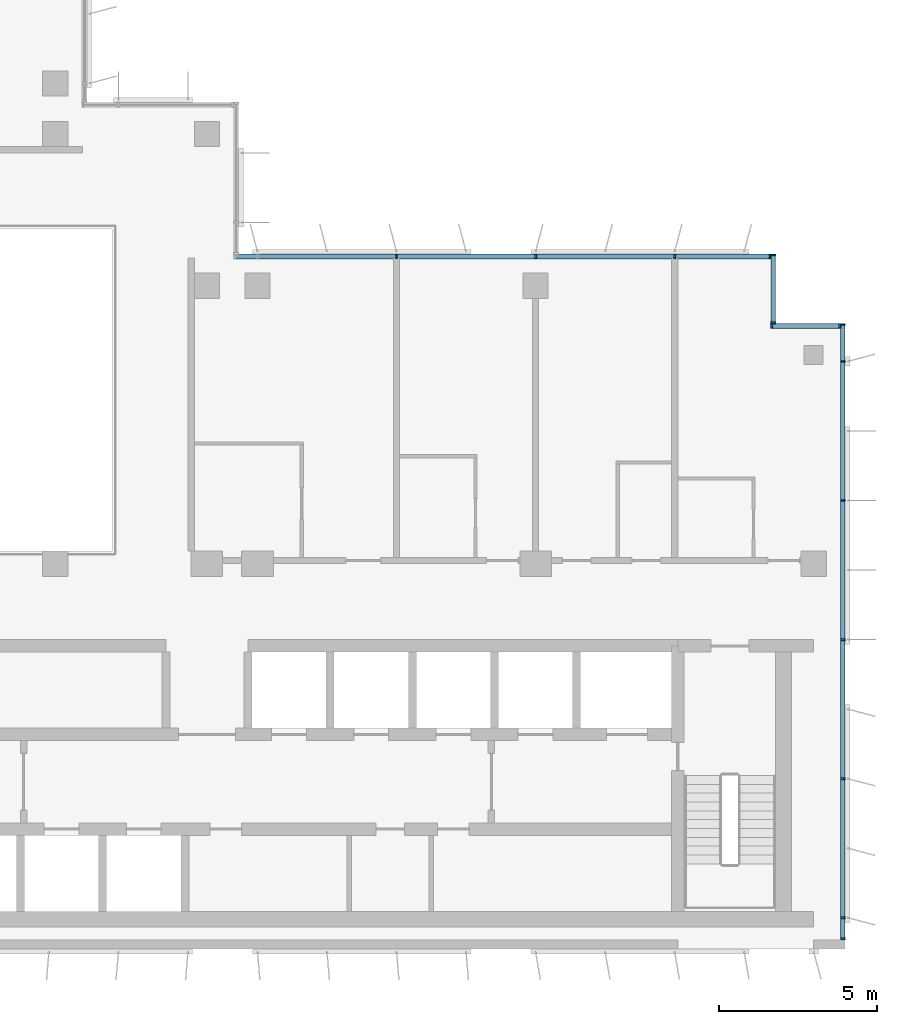
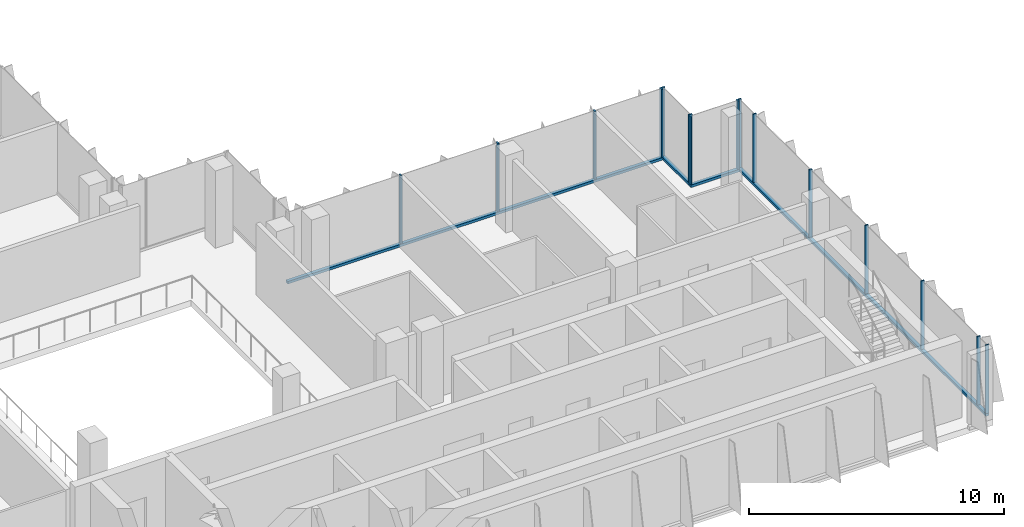
# One storey, part 3 of 15: 19 members, 4 elements without a shape of their own.
"""IFC4 building model written with IfcOpenShell, lengths in metres."""

from ifc_helpers import new_model, si_unit, direction, frame, origin, origin_2d, place, context, subcontext, project, spatial, rectangle, extrude, source, transform, mapped, material, material_profile, profile_set, type_object, element, aggregate, save


model = new_model("IFC4")

# Units and contexts
model_context = context("Model", 3, precision=1e-05, world=origin(), true_north=direction((0.0, 1.0)))
body_context = subcontext(model_context, "Body", "Model", "MODEL_VIEW")
ifc_project = project(units=[si_unit("LENGTHUNIT", "METRE"), si_unit("AREAUNIT", "SQUARE_METRE"), si_unit("VOLUMEUNIT", "CUBIC_METRE"), si_unit("PLANEANGLEUNIT", "RADIAN"), si_unit("MASSUNIT", "GRAM", prefix="KILO")], contexts=[model_context])

# Site, building, storey
site_placement = place(None, origin())
site = spatial("IfcSite", under=ifc_project, at=site_placement, CompositionType="ELEMENT")
building_placement = place(site_placement, origin())
building = spatial("IfcBuilding", under=site, at=building_placement, Name="Kemantara Hotel Tower", CompositionType="ELEMENT")
storey_placement = place(building_placement, frame((0.0, 0.0, 294.39990234375)))
storey = spatial("IfcBuildingStorey", under=building, at=storey_placement, Name="L74", CompositionType="ELEMENT", Elevation=294.39990234375)

# Curtain wall, member
ifc_material_1 = material(Name="Low-E tinted double insulated glass 36 mm", Category="glass")
curtain_wall_type = type_object("IfcCurtainWallType", Name="TOWER CURTAIN WALL, FRONT FACES", PredefinedType="USERDEFINED", material=ifc_material_1)
curtain_wall_1_placement = place(storey_placement, origin())
curtain_wall_1 = element("IfcCurtainWall", 1, at=curtain_wall_1_placement, inside=storey, type_object=curtain_wall_type, Name="CW4 L74 T4-R09-1", ObjectType="TOWER CURTAIN WALL, FRONT FACES", PredefinedType="USERDEFINED")
ifc_material_2 = material(Name="Aluminium 6063-T6 bronze anodised", Category="aluminium")
ifc_material_profile_1 = material_profile(ifc_material_2, rectangle(XDim=0.14990234375, YDim=0.1201171875, at=origin_2d()), Name="TOWER CURTAIN WALL, FRONT FACES TRANSOM")
ifc_profile_set_1 = profile_set([ifc_material_profile_1], Name="Aluminium 6063-T6 bronze anodised")
member_type_1 = type_object("IfcMemberType", Name="TOWER CURTAIN WALL, FRONT FACES TRANSOM", PredefinedType="USERDEFINED", material=ifc_profile_set_1)
member_1_placement = place(storey_placement, frame((45.925048828125, 0.300048828125, 0.06005859375), z_axis=(0.0, 1.0, 0.0), x_axis=(-1.0, 0.0, 0.0)))
member_1 = element("IfcMember", 2, at=member_1_placement, type_object=member_type_1, Name="CW4 sill transom T4-R09-1", ObjectType="TRANSOM", PredefinedType="USERDEFINED", context=body_context, shape_type="SweptSolid", body=[
    extrude(rectangle(XDim=0.14990234375, YDim=0.1201171875, at=origin_2d()), origin(), (0.0, 0.0, 1.0), 19.5),
])

curtain_wall_2_placement = place(storey_placement, origin())
curtain_wall_2 = element("IfcCurtainWall", 3, at=curtain_wall_2_placement, inside=storey, type_object=curtain_wall_type, Name="CW4 L74 T4-R12-1", ObjectType="TOWER CURTAIN WALL, FRONT FACES", PredefinedType="USERDEFINED")
member_2_placement = place(storey_placement, frame((43.64990234375, 21.925048828125, 0.06005859375), z_axis=(-1.0, 0.0, 0.0), x_axis=(0.0, -1.0, 0.0)))
member_2 = element("IfcMember", 4, at=member_2_placement, type_object=member_type_1, Name="CW4 sill transom T4-R12-1", ObjectType="TRANSOM", PredefinedType="USERDEFINED", context=body_context, shape_type="SweptSolid", body=[
    extrude(rectangle(XDim=0.14990234375, YDim=0.1201171875, at=origin_2d()), origin(), (0.0, 0.0, 1.0), 17.0),
])

curtain_wall_3_placement = place(storey_placement, origin())
curtain_wall_3 = element("IfcCurtainWall", 5, at=curtain_wall_3_placement, inside=storey, type_object=curtain_wall_type, Name="CW4 L74 T4-R10-1", ObjectType="TOWER CURTAIN WALL, FRONT FACES", PredefinedType="USERDEFINED")
member_3_placement = place(storey_placement, frame((45.85009765625, 19.72509765625, 0.06005859375), z_axis=(-1.0, 0.0, 0.0), x_axis=(0.0, -1.0, 0.0)))
member_3 = element("IfcMember", 6, at=member_3_placement, type_object=member_type_1, Name="CW4 sill transom T4-R10-1", ObjectType="TRANSOM", PredefinedType="USERDEFINED", context=body_context, shape_type="SweptSolid", body=[
    extrude(rectangle(XDim=0.14990234375, YDim=0.1201171875, at=origin_2d()), origin(), (0.0, 0.0, 1.0), 2.2001953125),
])

curtain_wall_4_placement = place(storey_placement, origin())
curtain_wall_4 = element("IfcCurtainWall", 7, at=curtain_wall_4_placement, inside=storey, type_object=curtain_wall_type, Name="CW4 L74 T4-R11-1", ObjectType="TOWER CURTAIN WALL, FRONT FACES", PredefinedType="USERDEFINED")
member_4_placement = place(storey_placement, frame((43.72509765625, 19.800048828125, 0.06005859375), z_axis=(0.0, 1.0, 0.0), x_axis=(-1.0, 0.0, 0.0)))
member_4 = element("IfcMember", 8, at=member_4_placement, type_object=member_type_1, Name="CW4 sill transom T4-R11-1", ObjectType="TRANSOM", PredefinedType="USERDEFINED", context=body_context, shape_type="SweptSolid", body=[
    extrude(rectangle(XDim=0.14990234375, YDim=0.1201171875, at=origin_2d()), origin(), (0.0, 0.0, 1.0), 2.199951171875),
])

# Member
ifc_material_profile_2 = material_profile(ifc_material_2, rectangle(XDim=0.14990234375, YDim=0.06005859375, at=origin_2d()), Name="TOWER CURTAIN WALL, FRONT FACES MULLION")
ifc_profile_set_2 = profile_set([ifc_material_profile_2], Name="Aluminium 6063-T6 bronze anodised")
member_type_2 = type_object("IfcMemberType", Name="TOWER CURTAIN WALL, FRONT FACES MULLION", PredefinedType="MULLION", material=ifc_profile_set_2)
shared_shape = source(origin(), body_context, "Body", "SweptSolid", [
    extrude(rectangle(XDim=0.14990234375, YDim=0.06005859375, at=origin_2d()), origin(), (0.0, 0.0, 1.0), 3.280029296875),
])
member_5_placement = place(storey_placement, frame((45.925048828125, 0.330078125, 0.1201171875), z_axis=(0.0, 0.0, 1.0), x_axis=(-1.0, 0.0, 0.0)))
member_5 = element("IfcMember", 9, at=member_5_placement, type_object=member_type_2, Name="CW4 mullion T4-R09-1.1", PredefinedType="MULLION", context=body_context, shape_type="MappedRepresentation", body=[
    mapped(shared_shape, transform((0.0, 0.0, 0.0))),
])

member_6_placement = place(storey_placement, frame((45.925048828125, 1.0, 0.1201171875), z_axis=(0.0, 0.0, 1.0), x_axis=(-1.0, 0.0, 0.0)))
member_6 = element("IfcMember", 10, at=member_6_placement, type_object=member_type_2, Name="CW4 mullion T4-R09-1.2", PredefinedType="MULLION", context=body_context, shape_type="MappedRepresentation", body=[
    mapped(shared_shape, transform((0.0, 0.0, 0.0))),
])

member_7_placement = place(storey_placement, frame((45.925048828125, 5.39990234375, 0.1201171875), z_axis=(0.0, 0.0, 1.0), x_axis=(-1.0, 0.0, 0.0)))
member_7 = element("IfcMember", 11, at=member_7_placement, type_object=member_type_2, Name="CW4 mullion T4-R09-1.3", PredefinedType="MULLION", context=body_context, shape_type="MappedRepresentation", body=[
    mapped(shared_shape, transform((0.0, 0.0, 0.0))),
])

member_8_placement = place(storey_placement, frame((45.925048828125, 9.800048828125, 0.1201171875), z_axis=(0.0, 0.0, 1.0), x_axis=(-1.0, 0.0, 0.0)))
member_8 = element("IfcMember", 12, at=member_8_placement, type_object=member_type_2, Name="CW4 mullion T4-R09-1.4", PredefinedType="MULLION", context=body_context, shape_type="MappedRepresentation", body=[
    mapped(shared_shape, transform((0.0, 0.0, 0.0))),
])

member_9_placement = place(storey_placement, frame((45.925048828125, 14.199951171875, 0.1201171875), z_axis=(0.0, 0.0, 1.0), x_axis=(-1.0, 0.0, 0.0)))
member_9 = element("IfcMember", 13, at=member_9_placement, type_object=member_type_2, Name="CW4 mullion T4-R09-1.5", PredefinedType="MULLION", context=body_context, shape_type="MappedRepresentation", body=[
    mapped(shared_shape, transform((0.0, 0.0, 0.0))),
])

member_10_placement = place(storey_placement, frame((45.925048828125, 18.60009765625, 0.1201171875), z_axis=(0.0, 0.0, 1.0), x_axis=(-1.0, 0.0, 0.0)))
member_10 = element("IfcMember", 14, at=member_10_placement, type_object=member_type_2, Name="CW4 mullion T4-R09-1.6", PredefinedType="MULLION", context=body_context, shape_type="MappedRepresentation", body=[
    mapped(shared_shape, transform((0.0, 0.0, 0.0))),
])

member_11_placement = place(storey_placement, frame((45.925048828125, 19.77001953125, 0.1201171875), z_axis=(0.0, 0.0, 1.0), x_axis=(-1.0, 0.0, 0.0)))
member_11 = element("IfcMember", 15, at=member_11_placement, type_object=member_type_2, Name="CW4 mullion T4-R09-1.7", PredefinedType="MULLION", context=body_context, shape_type="MappedRepresentation", body=[
    mapped(shared_shape, transform((0.0, 0.0, 0.0))),
])

aggregate(curtain_wall_1, [member_1, member_5, member_6, member_7, member_8, member_9, member_10, member_11])

member_12_placement = place(storey_placement, frame((43.6201171875, 21.925048828125, 0.1201171875), z_axis=(0.0, 0.0, 1.0), x_axis=(0.0, -1.0, 0.0)))
member_12 = element("IfcMember", 16, at=member_12_placement, type_object=member_type_2, Name="CW4 mullion T4-R12-1.1", PredefinedType="MULLION", context=body_context, shape_type="MappedRepresentation", body=[
    mapped(shared_shape, transform((0.0, 0.0, 0.0))),
])

member_13_placement = place(storey_placement, frame((40.60009765625, 21.925048828125, 0.1201171875), z_axis=(0.0, 0.0, 1.0), x_axis=(0.0, -1.0, 0.0)))
member_13 = element("IfcMember", 17, at=member_13_placement, type_object=member_type_2, Name="CW4 mullion T4-R12-1.2", PredefinedType="MULLION", context=body_context, shape_type="MappedRepresentation", body=[
    mapped(shared_shape, transform((0.0, 0.0, 0.0))),
])

member_14_placement = place(storey_placement, frame((36.199951171875, 21.925048828125, 0.1201171875), z_axis=(0.0, 0.0, 1.0), x_axis=(0.0, -1.0, 0.0)))
member_14 = element("IfcMember", 18, at=member_14_placement, type_object=member_type_2, Name="CW4 mullion T4-R12-1.3", PredefinedType="MULLION", context=body_context, shape_type="MappedRepresentation", body=[
    mapped(shared_shape, transform((0.0, 0.0, 0.0))),
])

member_15_placement = place(storey_placement, frame((31.800048828125, 21.925048828125, 0.1201171875), z_axis=(0.0, 0.0, 1.0), x_axis=(0.0, -1.0, 0.0)))
member_15 = element("IfcMember", 19, at=member_15_placement, type_object=member_type_2, Name="CW4 mullion T4-R12-1.4", PredefinedType="MULLION", context=body_context, shape_type="MappedRepresentation", body=[
    mapped(shared_shape, transform((0.0, 0.0, 0.0))),
])

aggregate(curtain_wall_2, [member_2, member_12, member_13, member_14, member_15])

member_16_placement = place(storey_placement, frame((45.820068359375, 19.72509765625, 0.1201171875), z_axis=(0.0, 0.0, 1.0), x_axis=(0.0, -1.0, 0.0)))
member_16 = element("IfcMember", 20, at=member_16_placement, type_object=member_type_2, Name="CW4 mullion T4-R10-1.1", PredefinedType="MULLION", context=body_context, shape_type="MappedRepresentation", body=[
    mapped(shared_shape, transform((0.0, 0.0, 0.0))),
])

member_17_placement = place(storey_placement, frame((43.679931640625, 19.72509765625, 0.1201171875), z_axis=(0.0, 0.0, 1.0), x_axis=(0.0, -1.0, 0.0)))
member_17 = element("IfcMember", 21, at=member_17_placement, type_object=member_type_2, Name="CW4 mullion T4-R10-1.2", PredefinedType="MULLION", context=body_context, shape_type="MappedRepresentation", body=[
    mapped(shared_shape, transform((0.0, 0.0, 0.0))),
])

aggregate(curtain_wall_3, [member_3, member_16, member_17])

member_18_placement = place(storey_placement, frame((43.72509765625, 19.830078125, 0.1201171875), z_axis=(0.0, 0.0, 1.0), x_axis=(-1.0, 0.0, 0.0)))
member_18 = element("IfcMember", 22, at=member_18_placement, type_object=member_type_2, Name="CW4 mullion T4-R11-1.1", PredefinedType="MULLION", context=body_context, shape_type="MappedRepresentation", body=[
    mapped(shared_shape, transform((0.0, 0.0, 0.0))),
])

member_19_placement = place(storey_placement, frame((43.72509765625, 21.969970703125, 0.1201171875), z_axis=(0.0, 0.0, 1.0), x_axis=(-1.0, 0.0, 0.0)))
member_19 = element("IfcMember", 23, at=member_19_placement, type_object=member_type_2, Name="CW4 mullion T4-R11-1.2", PredefinedType="MULLION", context=body_context, shape_type="MappedRepresentation", body=[
    mapped(shared_shape, transform((0.0, 0.0, 0.0))),
])

aggregate(curtain_wall_4, [member_4, member_18, member_19])

save(model, "model.ifc")
